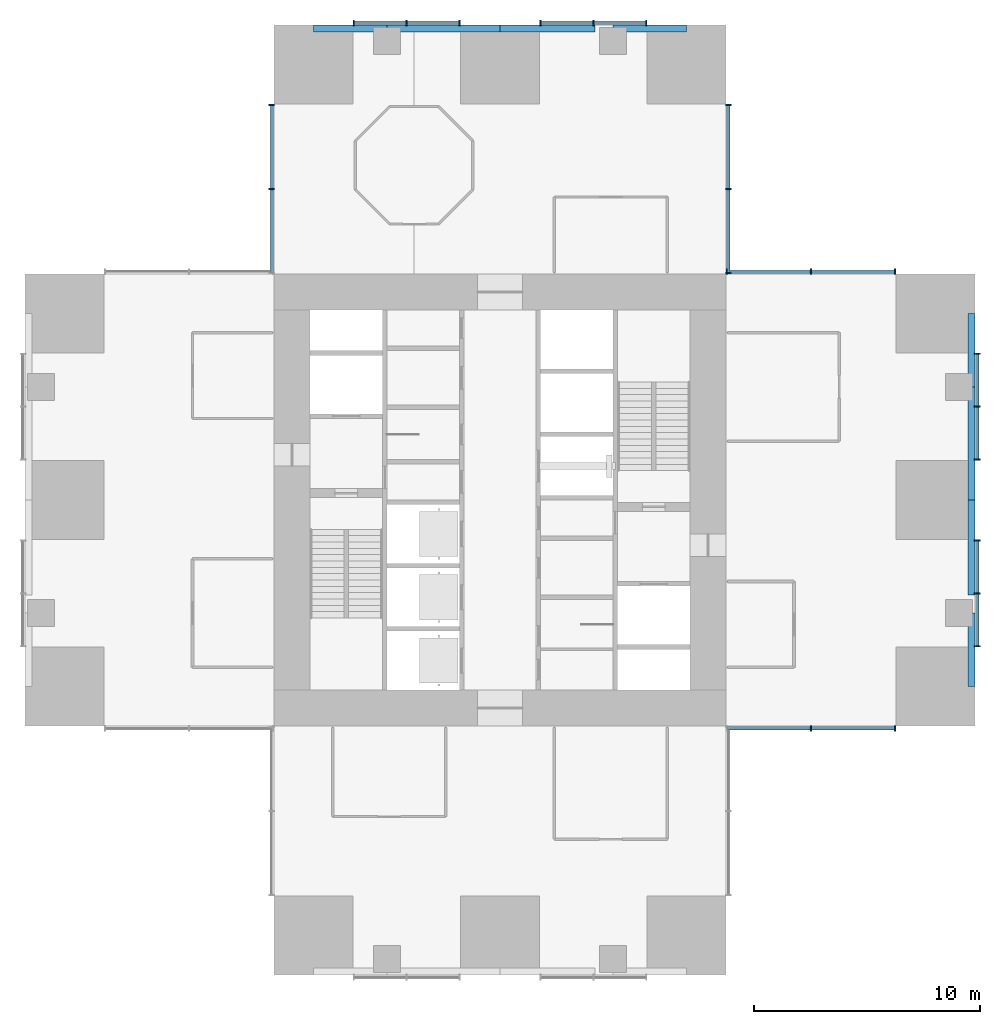
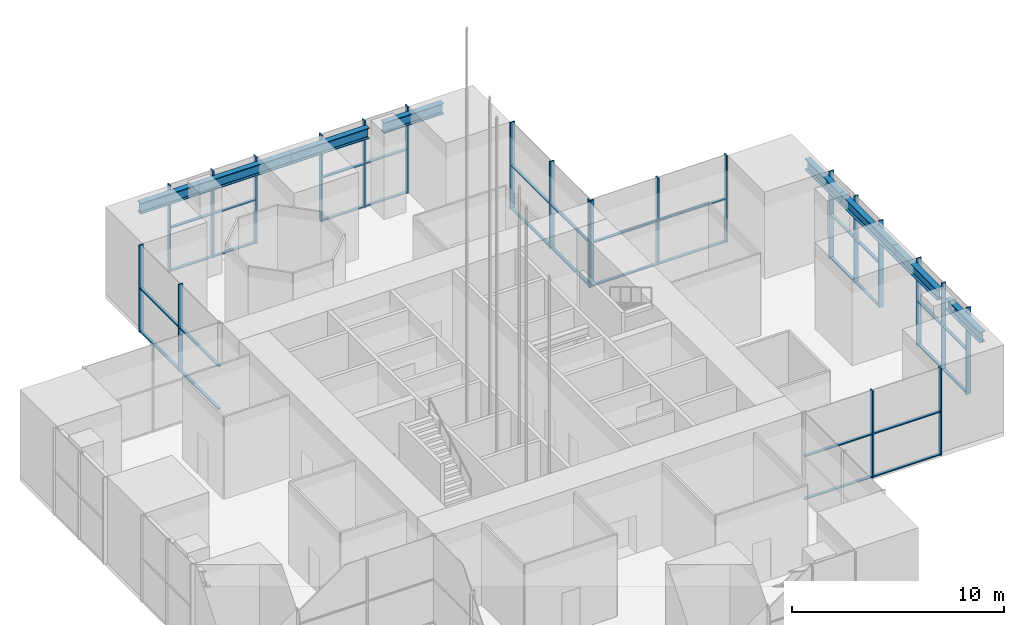
# One storey, part 3 of 16: 54 members, 8 beams, 8 elements without a shape of their own.
"""IFC4 building model written with IfcOpenShell, lengths in metres."""

from ifc_helpers import new_model, si_unit, direction, frame, origin, origin_2d, place, context, subcontext, project, spatial, rectangle, i_section, extrude, material, material_profile, profile_set, type_object, element, aggregate, save


model = new_model("IFC4")

# Units and contexts
model_context = context("Model", 3, precision=1e-05, world=origin(), true_north=direction((0.0, 1.0)))
body_context = subcontext(model_context, "Body", "Model", "MODEL_VIEW")
ifc_project = project(units=[si_unit("LENGTHUNIT", "METRE"), si_unit("AREAUNIT", "SQUARE_METRE"), si_unit("VOLUMEUNIT", "CUBIC_METRE"), si_unit("PLANEANGLEUNIT", "RADIAN"), si_unit("MASSUNIT", "GRAM", prefix="KILO")], contexts=[model_context])

# Site, building, storey
site_placement = place(None, origin())
site = spatial("IfcSite", under=ifc_project, at=site_placement, CompositionType="ELEMENT")
building_placement = place(site_placement, origin())
building = spatial("IfcBuilding", under=site, at=building_placement, Name="Svetlomir Tower", CompositionType="ELEMENT")
storey_placement = place(building_placement, frame((0.0, 0.0, 91.5)))
storey = spatial("IfcBuildingStorey", under=building, at=storey_placement, Name="L21", CompositionType="ELEMENT", Elevation=91.5)

# Curtain wall, members
ifc_material_1 = material(Name="Bronze anodised aluminium curtain wall", Category="aluminium")
curtain_wall_type = type_object("IfcCurtainWallType", Name="CURTAIN WALL CW2 SKY LOBBY", PredefinedType="NOTDEFINED", material=ifc_material_1)
curtain_wall_1_placement = place(storey_placement, origin())
curtain_wall_1 = element("IfcCurtainWall", 1, at=curtain_wall_1_placement, inside=storey, type_object=curtain_wall_type, Name="Curtain wall CW2 L21", PredefinedType="NOTDEFINED")
ifc_material_2 = material(Name="Bronze anodised aluminium", Category="aluminium")
ifc_material_profile_1 = material_profile(ifc_material_2, rectangle(XDim=0.06494140625, YDim=0.25, at=origin_2d()), Name="AL 65x250")
ifc_profile_set_1 = profile_set([ifc_material_profile_1], Name="Bronze anodised aluminium 6063-T6")
member_type_1 = type_object("IfcMemberType", Name="CW2 MULLION 65x250", PredefinedType="MULLION", material=ifc_profile_set_1)
member_1_placement = place(storey_placement, frame((34.75, 10.89990234375, 0.0), z_axis=(0.0, 0.0, 1.0), x_axis=(1.0, 0.0, 0.0)))
member_1 = element("IfcMember", 2, at=member_1_placement, type_object=member_type_1, Name="CW2 mullion 2", PredefinedType="MULLION", context=body_context, shape_type="SweptSolid", body=[
    extrude(rectangle(XDim=0.06494140625, YDim=0.25, at=origin_2d()), origin(), (0.0, 0.0, 1.0), 5.0),
])
member_2_placement = place(storey_placement, frame((38.467529296875, 10.89990234375, 0.0), z_axis=(0.0, 0.0, 1.0), x_axis=(1.0, 0.0, 0.0)))
member_2 = element("IfcMember", 3, at=member_2_placement, type_object=member_type_1, Name="CW2 mullion 3", PredefinedType="MULLION", context=body_context, shape_type="SweptSolid", body=[
    extrude(rectangle(XDim=0.06494140625, YDim=0.25, at=origin_2d()), origin(), (0.0, 0.0, 1.0), 5.0),
])

curtain_wall_2_placement = place(storey_placement, origin())
curtain_wall_2 = element("IfcCurtainWall", 4, at=curtain_wall_2_placement, inside=storey, type_object=curtain_wall_type, Name="Curtain wall CW2 L21", PredefinedType="NOTDEFINED")
member_3_placement = place(storey_placement, frame((42.10009765625, 14.532470703125, 0.0), z_axis=(0.0, 0.0, 1.0), x_axis=(0.0, 1.0, 0.0)))
member_3 = element("IfcMember", 5, at=member_3_placement, type_object=member_type_1, Name="CW2 mullion 1", PredefinedType="MULLION", context=body_context, shape_type="SweptSolid", body=[
    extrude(rectangle(XDim=0.06494140625, YDim=0.25, at=origin_2d()), origin(), (0.0, 0.0, 1.0), 5.0),
])
member_4_placement = place(storey_placement, frame((42.10009765625, 16.875, 0.0), z_axis=(0.0, 0.0, 1.0), x_axis=(0.0, 1.0, 0.0)))
member_4 = element("IfcMember", 6, at=member_4_placement, type_object=member_type_1, Name="CW2 mullion 2", PredefinedType="MULLION", context=body_context, shape_type="SweptSolid", body=[
    extrude(rectangle(XDim=0.06494140625, YDim=0.25, at=origin_2d()), origin(), (0.0, 0.0, 1.0), 5.0),
])
member_5_placement = place(storey_placement, frame((42.10009765625, 19.217529296875, 0.0), z_axis=(0.0, 0.0, 1.0), x_axis=(0.0, 1.0, 0.0)))
member_5 = element("IfcMember", 7, at=member_5_placement, type_object=member_type_1, Name="CW2 mullion 3", PredefinedType="MULLION", context=body_context, shape_type="SweptSolid", body=[
    extrude(rectangle(XDim=0.06494140625, YDim=0.25, at=origin_2d()), origin(), (0.0, 0.0, 1.0), 5.0),
])

curtain_wall_3_placement = place(storey_placement, origin())
curtain_wall_3 = element("IfcCurtainWall", 8, at=curtain_wall_3_placement, inside=storey, type_object=curtain_wall_type, Name="Curtain wall CW2 L21", PredefinedType="NOTDEFINED")
member_6_placement = place(storey_placement, frame((42.10009765625, 22.782470703125, 0.0), z_axis=(0.0, 0.0, 1.0), x_axis=(0.0, 1.0, 0.0)))
member_6 = element("IfcMember", 9, at=member_6_placement, type_object=member_type_1, Name="CW2 mullion 1", PredefinedType="MULLION", context=body_context, shape_type="SweptSolid", body=[
    extrude(rectangle(XDim=0.06494140625, YDim=0.25, at=origin_2d()), origin(), (0.0, 0.0, 1.0), 5.0),
])
member_7_placement = place(storey_placement, frame((42.10009765625, 25.125, 0.0), z_axis=(0.0, 0.0, 1.0), x_axis=(0.0, 1.0, 0.0)))
member_7 = element("IfcMember", 10, at=member_7_placement, type_object=member_type_1, Name="CW2 mullion 2", PredefinedType="MULLION", context=body_context, shape_type="SweptSolid", body=[
    extrude(rectangle(XDim=0.06494140625, YDim=0.25, at=origin_2d()), origin(), (0.0, 0.0, 1.0), 5.0),
])
member_8_placement = place(storey_placement, frame((42.10009765625, 27.467529296875, 0.0), z_axis=(0.0, 0.0, 1.0), x_axis=(0.0, 1.0, 0.0)))
member_8 = element("IfcMember", 11, at=member_8_placement, type_object=member_type_1, Name="CW2 mullion 3", PredefinedType="MULLION", context=body_context, shape_type="SweptSolid", body=[
    extrude(rectangle(XDim=0.06494140625, YDim=0.25, at=origin_2d()), origin(), (0.0, 0.0, 1.0), 5.0),
])

curtain_wall_4_placement = place(storey_placement, origin())
curtain_wall_4 = element("IfcCurtainWall", 12, at=curtain_wall_4_placement, inside=storey, type_object=curtain_wall_type, Name="Curtain wall CW2 L21", PredefinedType="NOTDEFINED")
member_9_placement = place(storey_placement, frame((38.467529296875, 31.10009765625, 0.0), z_axis=(0.0, 0.0, 1.0), x_axis=(-1.0, 0.0, 0.0)))
member_9 = element("IfcMember", 13, at=member_9_placement, type_object=member_type_1, Name="CW2 mullion 1", PredefinedType="MULLION", context=body_context, shape_type="SweptSolid", body=[
    extrude(rectangle(XDim=0.06494140625, YDim=0.25, at=origin_2d()), origin(), (0.0, 0.0, 1.0), 5.0),
])
member_10_placement = place(storey_placement, frame((34.75, 31.10009765625, 0.0), z_axis=(0.0, 0.0, 1.0), x_axis=(-1.0, 0.0, 0.0)))
member_10 = element("IfcMember", 14, at=member_10_placement, type_object=member_type_1, Name="CW2 mullion 2", PredefinedType="MULLION", context=body_context, shape_type="SweptSolid", body=[
    extrude(rectangle(XDim=0.06494140625, YDim=0.25, at=origin_2d()), origin(), (0.0, 0.0, 1.0), 5.0),
])
member_11_placement = place(storey_placement, frame((31.032470703125, 31.10009765625, 0.0), z_axis=(0.0, 0.0, 1.0), x_axis=(-1.0, 0.0, 0.0)))
member_11 = element("IfcMember", 15, at=member_11_placement, type_object=member_type_1, Name="CW2 mullion 3", PredefinedType="MULLION", context=body_context, shape_type="SweptSolid", body=[
    extrude(rectangle(XDim=0.06494140625, YDim=0.25, at=origin_2d()), origin(), (0.0, 0.0, 1.0), 5.0),
])

curtain_wall_5_placement = place(storey_placement, origin())
curtain_wall_5 = element("IfcCurtainWall", 16, at=curtain_wall_5_placement, inside=storey, type_object=curtain_wall_type, Name="Curtain wall CW2 L21", PredefinedType="NOTDEFINED")
member_12_placement = place(storey_placement, frame((31.10009765625, 31.032470703125, 0.0), z_axis=(0.0, 0.0, 1.0), x_axis=(0.0, 1.0, 0.0)))
member_12 = element("IfcMember", 17, at=member_12_placement, type_object=member_type_1, Name="CW2 mullion 1", PredefinedType="MULLION", context=body_context, shape_type="SweptSolid", body=[
    extrude(rectangle(XDim=0.06494140625, YDim=0.25, at=origin_2d()), origin(), (0.0, 0.0, 1.0), 5.0),
])
member_13_placement = place(storey_placement, frame((31.10009765625, 34.75, 0.0), z_axis=(0.0, 0.0, 1.0), x_axis=(0.0, 1.0, 0.0)))
member_13 = element("IfcMember", 18, at=member_13_placement, type_object=member_type_1, Name="CW2 mullion 2", PredefinedType="MULLION", context=body_context, shape_type="SweptSolid", body=[
    extrude(rectangle(XDim=0.06494140625, YDim=0.25, at=origin_2d()), origin(), (0.0, 0.0, 1.0), 5.0),
])
member_14_placement = place(storey_placement, frame((31.10009765625, 38.467529296875, 0.0), z_axis=(0.0, 0.0, 1.0), x_axis=(0.0, 1.0, 0.0)))
member_14 = element("IfcMember", 19, at=member_14_placement, type_object=member_type_1, Name="CW2 mullion 3", PredefinedType="MULLION", context=body_context, shape_type="SweptSolid", body=[
    extrude(rectangle(XDim=0.06494140625, YDim=0.25, at=origin_2d()), origin(), (0.0, 0.0, 1.0), 5.0),
])

curtain_wall_6_placement = place(storey_placement, origin())
curtain_wall_6 = element("IfcCurtainWall", 20, at=curtain_wall_6_placement, inside=storey, type_object=curtain_wall_type, Name="Curtain wall CW2 L21", PredefinedType="NOTDEFINED")
member_15_placement = place(storey_placement, frame((27.467529296875, 42.10009765625, 0.0), z_axis=(0.0, 0.0, 1.0), x_axis=(-1.0, 0.0, 0.0)))
member_15 = element("IfcMember", 21, at=member_15_placement, type_object=member_type_1, Name="CW2 mullion 1", PredefinedType="MULLION", context=body_context, shape_type="SweptSolid", body=[
    extrude(rectangle(XDim=0.06494140625, YDim=0.25, at=origin_2d()), origin(), (0.0, 0.0, 1.0), 5.0),
])
member_16_placement = place(storey_placement, frame((25.125, 42.10009765625, 0.0), z_axis=(0.0, 0.0, 1.0), x_axis=(-1.0, 0.0, 0.0)))
member_16 = element("IfcMember", 22, at=member_16_placement, type_object=member_type_1, Name="CW2 mullion 2", PredefinedType="MULLION", context=body_context, shape_type="SweptSolid", body=[
    extrude(rectangle(XDim=0.06494140625, YDim=0.25, at=origin_2d()), origin(), (0.0, 0.0, 1.0), 5.0),
])
member_17_placement = place(storey_placement, frame((22.782470703125, 42.10009765625, 0.0), z_axis=(0.0, 0.0, 1.0), x_axis=(-1.0, 0.0, 0.0)))
member_17 = element("IfcMember", 23, at=member_17_placement, type_object=member_type_1, Name="CW2 mullion 3", PredefinedType="MULLION", context=body_context, shape_type="SweptSolid", body=[
    extrude(rectangle(XDim=0.06494140625, YDim=0.25, at=origin_2d()), origin(), (0.0, 0.0, 1.0), 5.0),
])

curtain_wall_7_placement = place(storey_placement, origin())
curtain_wall_7 = element("IfcCurtainWall", 24, at=curtain_wall_7_placement, inside=storey, type_object=curtain_wall_type, Name="Curtain wall CW2 L21", PredefinedType="NOTDEFINED")
member_18_placement = place(storey_placement, frame((19.217529296875, 42.10009765625, 0.0), z_axis=(0.0, 0.0, 1.0), x_axis=(-1.0, 0.0, 0.0)))
member_18 = element("IfcMember", 25, at=member_18_placement, type_object=member_type_1, Name="CW2 mullion 1", PredefinedType="MULLION", context=body_context, shape_type="SweptSolid", body=[
    extrude(rectangle(XDim=0.06494140625, YDim=0.25, at=origin_2d()), origin(), (0.0, 0.0, 1.0), 5.0),
])
member_19_placement = place(storey_placement, frame((16.875, 42.10009765625, 0.0), z_axis=(0.0, 0.0, 1.0), x_axis=(-1.0, 0.0, 0.0)))
member_19 = element("IfcMember", 26, at=member_19_placement, type_object=member_type_1, Name="CW2 mullion 2", PredefinedType="MULLION", context=body_context, shape_type="SweptSolid", body=[
    extrude(rectangle(XDim=0.06494140625, YDim=0.25, at=origin_2d()), origin(), (0.0, 0.0, 1.0), 5.0),
])
member_20_placement = place(storey_placement, frame((14.532470703125, 42.10009765625, 0.0), z_axis=(0.0, 0.0, 1.0), x_axis=(-1.0, 0.0, 0.0)))
member_20 = element("IfcMember", 27, at=member_20_placement, type_object=member_type_1, Name="CW2 mullion 3", PredefinedType="MULLION", context=body_context, shape_type="SweptSolid", body=[
    extrude(rectangle(XDim=0.06494140625, YDim=0.25, at=origin_2d()), origin(), (0.0, 0.0, 1.0), 5.0),
])

curtain_wall_8_placement = place(storey_placement, origin())
curtain_wall_8 = element("IfcCurtainWall", 28, at=curtain_wall_8_placement, inside=storey, type_object=curtain_wall_type, Name="Curtain wall CW2 L21", PredefinedType="NOTDEFINED")
member_21_placement = place(storey_placement, frame((10.89990234375, 38.467529296875, 0.0), z_axis=(0.0, 0.0, 1.0), x_axis=(0.0, -1.0, 0.0)))
member_21 = element("IfcMember", 29, at=member_21_placement, type_object=member_type_1, Name="CW2 mullion 1", PredefinedType="MULLION", context=body_context, shape_type="SweptSolid", body=[
    extrude(rectangle(XDim=0.06494140625, YDim=0.25, at=origin_2d()), origin(), (0.0, 0.0, 1.0), 5.0),
])
member_22_placement = place(storey_placement, frame((10.89990234375, 34.75, 0.0), z_axis=(0.0, 0.0, 1.0), x_axis=(0.0, -1.0, 0.0)))
member_22 = element("IfcMember", 30, at=member_22_placement, type_object=member_type_1, Name="CW2 mullion 2", PredefinedType="MULLION", context=body_context, shape_type="SweptSolid", body=[
    extrude(rectangle(XDim=0.06494140625, YDim=0.25, at=origin_2d()), origin(), (0.0, 0.0, 1.0), 5.0),
])

# Member
ifc_material_3 = material(Name="Bronze anodised aluminium", Category="aluminium")
ifc_material_profile_2 = material_profile(ifc_material_3, rectangle(XDim=0.159912109375, YDim=0.06494140625, at=origin_2d()), Name="AL 160x65")
ifc_profile_set_2 = profile_set([ifc_material_profile_2], Name="Bronze anodised aluminium 6063-T6")
member_type_2 = type_object("IfcMemberType", Name="CW2 TRANSOM 65x160", PredefinedType="USERDEFINED", material=ifc_profile_set_2)
member_23_placement = place(storey_placement, frame((31.06494140625, 10.89990234375, 0.032470703125), z_axis=(1.0, 0.0, 0.0), x_axis=(0.0, 1.0, 0.0)))
member_23 = element("IfcMember", 31, at=member_23_placement, type_object=member_type_2, Name="CW2 transom 1.1", ObjectType="TRANSOM", PredefinedType="USERDEFINED", context=body_context, shape_type="SweptSolid", body=[
    extrude(rectangle(XDim=0.159912109375, YDim=0.06494140625, at=origin_2d()), origin(), (0.0, 0.0, 1.0), 3.652587890625),
])

member_24_placement = place(storey_placement, frame((31.06494140625, 10.89990234375, 2.5), z_axis=(1.0, 0.0, 0.0), x_axis=(0.0, 1.0, 0.0)))
member_24 = element("IfcMember", 32, at=member_24_placement, type_object=member_type_2, Name="CW2 transom 1.2", ObjectType="TRANSOM", PredefinedType="USERDEFINED", context=body_context, shape_type="SweptSolid", body=[
    extrude(rectangle(XDim=0.159912109375, YDim=0.06494140625, at=origin_2d()), origin(), (0.0, 0.0, 1.0), 3.652587890625),
])

member_25_placement = place(storey_placement, frame((34.782470703125, 10.89990234375, 0.032470703125), z_axis=(1.0, 0.0, 0.0), x_axis=(0.0, 1.0, 0.0)))
member_25 = element("IfcMember", 33, at=member_25_placement, type_object=member_type_2, Name="CW2 transom 2.1", ObjectType="TRANSOM", PredefinedType="USERDEFINED", context=body_context, shape_type="SweptSolid", body=[
    extrude(rectangle(XDim=0.159912109375, YDim=0.06494140625, at=origin_2d()), origin(), (0.0, 0.0, 1.0), 3.652587890625),
])

member_26_placement = place(storey_placement, frame((34.782470703125, 10.89990234375, 2.5), z_axis=(1.0, 0.0, 0.0), x_axis=(0.0, 1.0, 0.0)))
member_26 = element("IfcMember", 34, at=member_26_placement, type_object=member_type_2, Name="CW2 transom 2.2", ObjectType="TRANSOM", PredefinedType="USERDEFINED", context=body_context, shape_type="SweptSolid", body=[
    extrude(rectangle(XDim=0.159912109375, YDim=0.06494140625, at=origin_2d()), origin(), (0.0, 0.0, 1.0), 3.652587890625),
])

aggregate(curtain_wall_1, [member_1, member_2, member_23, member_24, member_25, member_26])

member_27_placement = place(storey_placement, frame((42.10009765625, 14.56494140625, 0.032470703125), z_axis=(0.0, 1.0, 0.0), x_axis=(-1.0, 0.0, 0.0)))
member_27 = element("IfcMember", 35, at=member_27_placement, type_object=member_type_2, Name="CW2 transom 1.1", ObjectType="TRANSOM", PredefinedType="USERDEFINED", context=body_context, shape_type="SweptSolid", body=[
    extrude(rectangle(XDim=0.159912109375, YDim=0.06494140625, at=origin_2d()), origin(), (0.0, 0.0, 1.0), 2.277587890625),
])

member_28_placement = place(storey_placement, frame((42.10009765625, 14.56494140625, 2.5), z_axis=(0.0, 1.0, 0.0), x_axis=(-1.0, 0.0, 0.0)))
member_28 = element("IfcMember", 36, at=member_28_placement, type_object=member_type_2, Name="CW2 transom 1.2", ObjectType="TRANSOM", PredefinedType="USERDEFINED", context=body_context, shape_type="SweptSolid", body=[
    extrude(rectangle(XDim=0.159912109375, YDim=0.06494140625, at=origin_2d()), origin(), (0.0, 0.0, 1.0), 2.277587890625),
])

member_29_placement = place(storey_placement, frame((42.10009765625, 16.907470703125, 0.032470703125), z_axis=(0.0, 1.0, 0.0), x_axis=(-1.0, 0.0, 0.0)))
member_29 = element("IfcMember", 37, at=member_29_placement, type_object=member_type_2, Name="CW2 transom 2.1", ObjectType="TRANSOM", PredefinedType="USERDEFINED", context=body_context, shape_type="SweptSolid", body=[
    extrude(rectangle(XDim=0.159912109375, YDim=0.06494140625, at=origin_2d()), origin(), (0.0, 0.0, 1.0), 2.277587890625),
])

member_30_placement = place(storey_placement, frame((42.10009765625, 16.907470703125, 2.5), z_axis=(0.0, 1.0, 0.0), x_axis=(-1.0, 0.0, 0.0)))
member_30 = element("IfcMember", 38, at=member_30_placement, type_object=member_type_2, Name="CW2 transom 2.2", ObjectType="TRANSOM", PredefinedType="USERDEFINED", context=body_context, shape_type="SweptSolid", body=[
    extrude(rectangle(XDim=0.159912109375, YDim=0.06494140625, at=origin_2d()), origin(), (0.0, 0.0, 1.0), 2.277587890625),
])

aggregate(curtain_wall_2, [member_3, member_4, member_5, member_27, member_28, member_29, member_30])

member_31_placement = place(storey_placement, frame((42.10009765625, 22.81494140625, 0.032470703125), z_axis=(0.0, 1.0, 0.0), x_axis=(-1.0, 0.0, 0.0)))
member_31 = element("IfcMember", 39, at=member_31_placement, type_object=member_type_2, Name="CW2 transom 1.1", ObjectType="TRANSOM", PredefinedType="USERDEFINED", context=body_context, shape_type="SweptSolid", body=[
    extrude(rectangle(XDim=0.159912109375, YDim=0.06494140625, at=origin_2d()), origin(), (0.0, 0.0, 1.0), 2.277587890625),
])

member_32_placement = place(storey_placement, frame((42.10009765625, 22.81494140625, 2.5), z_axis=(0.0, 1.0, 0.0), x_axis=(-1.0, 0.0, 0.0)))
member_32 = element("IfcMember", 40, at=member_32_placement, type_object=member_type_2, Name="CW2 transom 1.2", ObjectType="TRANSOM", PredefinedType="USERDEFINED", context=body_context, shape_type="SweptSolid", body=[
    extrude(rectangle(XDim=0.159912109375, YDim=0.06494140625, at=origin_2d()), origin(), (0.0, 0.0, 1.0), 2.277587890625),
])

member_33_placement = place(storey_placement, frame((42.10009765625, 25.157470703125, 0.032470703125), z_axis=(0.0, 1.0, 0.0), x_axis=(-1.0, 0.0, 0.0)))
member_33 = element("IfcMember", 41, at=member_33_placement, type_object=member_type_2, Name="CW2 transom 2.1", ObjectType="TRANSOM", PredefinedType="USERDEFINED", context=body_context, shape_type="SweptSolid", body=[
    extrude(rectangle(XDim=0.159912109375, YDim=0.06494140625, at=origin_2d()), origin(), (0.0, 0.0, 1.0), 2.277587890625),
])

member_34_placement = place(storey_placement, frame((42.10009765625, 25.157470703125, 2.5), z_axis=(0.0, 1.0, 0.0), x_axis=(-1.0, 0.0, 0.0)))
member_34 = element("IfcMember", 42, at=member_34_placement, type_object=member_type_2, Name="CW2 transom 2.2", ObjectType="TRANSOM", PredefinedType="USERDEFINED", context=body_context, shape_type="SweptSolid", body=[
    extrude(rectangle(XDim=0.159912109375, YDim=0.06494140625, at=origin_2d()), origin(), (0.0, 0.0, 1.0), 2.277587890625),
])

aggregate(curtain_wall_3, [member_6, member_7, member_8, member_31, member_32, member_33, member_34])

member_35_placement = place(storey_placement, frame((38.43505859375, 31.10009765625, 0.032470703125), z_axis=(-1.0, 0.0, 0.0), x_axis=(0.0, -1.0, 0.0)))
member_35 = element("IfcMember", 43, at=member_35_placement, type_object=member_type_2, Name="CW2 transom 1.1", ObjectType="TRANSOM", PredefinedType="USERDEFINED", context=body_context, shape_type="SweptSolid", body=[
    extrude(rectangle(XDim=0.159912109375, YDim=0.06494140625, at=origin_2d()), origin(), (0.0, 0.0, 1.0), 3.652587890625),
])

member_36_placement = place(storey_placement, frame((38.43505859375, 31.10009765625, 2.5), z_axis=(-1.0, 0.0, 0.0), x_axis=(0.0, -1.0, 0.0)))
member_36 = element("IfcMember", 44, at=member_36_placement, type_object=member_type_2, Name="CW2 transom 1.2", ObjectType="TRANSOM", PredefinedType="USERDEFINED", context=body_context, shape_type="SweptSolid", body=[
    extrude(rectangle(XDim=0.159912109375, YDim=0.06494140625, at=origin_2d()), origin(), (0.0, 0.0, 1.0), 3.652587890625),
])

member_37_placement = place(storey_placement, frame((34.717529296875, 31.10009765625, 0.032470703125), z_axis=(-1.0, 0.0, 0.0), x_axis=(0.0, -1.0, 0.0)))
member_37 = element("IfcMember", 45, at=member_37_placement, type_object=member_type_2, Name="CW2 transom 2.1", ObjectType="TRANSOM", PredefinedType="USERDEFINED", context=body_context, shape_type="SweptSolid", body=[
    extrude(rectangle(XDim=0.159912109375, YDim=0.06494140625, at=origin_2d()), origin(), (0.0, 0.0, 1.0), 3.652587890625),
])

member_38_placement = place(storey_placement, frame((34.717529296875, 31.10009765625, 2.5), z_axis=(-1.0, 0.0, 0.0), x_axis=(0.0, -1.0, 0.0)))
member_38 = element("IfcMember", 46, at=member_38_placement, type_object=member_type_2, Name="CW2 transom 2.2", ObjectType="TRANSOM", PredefinedType="USERDEFINED", context=body_context, shape_type="SweptSolid", body=[
    extrude(rectangle(XDim=0.159912109375, YDim=0.06494140625, at=origin_2d()), origin(), (0.0, 0.0, 1.0), 3.652587890625),
])

aggregate(curtain_wall_4, [member_9, member_10, member_11, member_35, member_36, member_37, member_38])

member_39_placement = place(storey_placement, frame((31.10009765625, 31.06494140625, 0.032470703125), z_axis=(0.0, 1.0, 0.0), x_axis=(-1.0, 0.0, 0.0)))
member_39 = element("IfcMember", 47, at=member_39_placement, type_object=member_type_2, Name="CW2 transom 1.1", ObjectType="TRANSOM", PredefinedType="USERDEFINED", context=body_context, shape_type="SweptSolid", body=[
    extrude(rectangle(XDim=0.159912109375, YDim=0.06494140625, at=origin_2d()), origin(), (0.0, 0.0, 1.0), 3.652587890625),
])

member_40_placement = place(storey_placement, frame((31.10009765625, 31.06494140625, 2.5), z_axis=(0.0, 1.0, 0.0), x_axis=(-1.0, 0.0, 0.0)))
member_40 = element("IfcMember", 48, at=member_40_placement, type_object=member_type_2, Name="CW2 transom 1.2", ObjectType="TRANSOM", PredefinedType="USERDEFINED", context=body_context, shape_type="SweptSolid", body=[
    extrude(rectangle(XDim=0.159912109375, YDim=0.06494140625, at=origin_2d()), origin(), (0.0, 0.0, 1.0), 3.652587890625),
])

member_41_placement = place(storey_placement, frame((31.10009765625, 34.782470703125, 0.032470703125), z_axis=(0.0, 1.0, 0.0), x_axis=(-1.0, 0.0, 0.0)))
member_41 = element("IfcMember", 49, at=member_41_placement, type_object=member_type_2, Name="CW2 transom 2.1", ObjectType="TRANSOM", PredefinedType="USERDEFINED", context=body_context, shape_type="SweptSolid", body=[
    extrude(rectangle(XDim=0.159912109375, YDim=0.06494140625, at=origin_2d()), origin(), (0.0, 0.0, 1.0), 3.652587890625),
])

member_42_placement = place(storey_placement, frame((31.10009765625, 34.782470703125, 2.5), z_axis=(0.0, 1.0, 0.0), x_axis=(-1.0, 0.0, 0.0)))
member_42 = element("IfcMember", 50, at=member_42_placement, type_object=member_type_2, Name="CW2 transom 2.2", ObjectType="TRANSOM", PredefinedType="USERDEFINED", context=body_context, shape_type="SweptSolid", body=[
    extrude(rectangle(XDim=0.159912109375, YDim=0.06494140625, at=origin_2d()), origin(), (0.0, 0.0, 1.0), 3.652587890625),
])

aggregate(curtain_wall_5, [member_12, member_13, member_14, member_39, member_40, member_41, member_42])

member_43_placement = place(storey_placement, frame((27.43505859375, 42.10009765625, 0.032470703125), z_axis=(-1.0, 0.0, 0.0), x_axis=(0.0, -1.0, 0.0)))
member_43 = element("IfcMember", 51, at=member_43_placement, type_object=member_type_2, Name="CW2 transom 1.1", ObjectType="TRANSOM", PredefinedType="USERDEFINED", context=body_context, shape_type="SweptSolid", body=[
    extrude(rectangle(XDim=0.159912109375, YDim=0.06494140625, at=origin_2d()), origin(), (0.0, 0.0, 1.0), 2.277587890625),
])

member_44_placement = place(storey_placement, frame((27.43505859375, 42.10009765625, 2.5), z_axis=(-1.0, 0.0, 0.0), x_axis=(0.0, -1.0, 0.0)))
member_44 = element("IfcMember", 52, at=member_44_placement, type_object=member_type_2, Name="CW2 transom 1.2", ObjectType="TRANSOM", PredefinedType="USERDEFINED", context=body_context, shape_type="SweptSolid", body=[
    extrude(rectangle(XDim=0.159912109375, YDim=0.06494140625, at=origin_2d()), origin(), (0.0, 0.0, 1.0), 2.277587890625),
])

member_45_placement = place(storey_placement, frame((25.092529296875, 42.10009765625, 0.032470703125), z_axis=(-1.0, 0.0, 0.0), x_axis=(0.0, -1.0, 0.0)))
member_45 = element("IfcMember", 53, at=member_45_placement, type_object=member_type_2, Name="CW2 transom 2.1", ObjectType="TRANSOM", PredefinedType="USERDEFINED", context=body_context, shape_type="SweptSolid", body=[
    extrude(rectangle(XDim=0.159912109375, YDim=0.06494140625, at=origin_2d()), origin(), (0.0, 0.0, 1.0), 2.277587890625),
])

member_46_placement = place(storey_placement, frame((25.092529296875, 42.10009765625, 2.5), z_axis=(-1.0, 0.0, 0.0), x_axis=(0.0, -1.0, 0.0)))
member_46 = element("IfcMember", 54, at=member_46_placement, type_object=member_type_2, Name="CW2 transom 2.2", ObjectType="TRANSOM", PredefinedType="USERDEFINED", context=body_context, shape_type="SweptSolid", body=[
    extrude(rectangle(XDim=0.159912109375, YDim=0.06494140625, at=origin_2d()), origin(), (0.0, 0.0, 1.0), 2.277587890625),
])

aggregate(curtain_wall_6, [member_15, member_16, member_17, member_43, member_44, member_45, member_46])

member_47_placement = place(storey_placement, frame((19.18505859375, 42.10009765625, 0.032470703125), z_axis=(-1.0, 0.0, 0.0), x_axis=(0.0, -1.0, 0.0)))
member_47 = element("IfcMember", 55, at=member_47_placement, type_object=member_type_2, Name="CW2 transom 1.1", ObjectType="TRANSOM", PredefinedType="USERDEFINED", context=body_context, shape_type="SweptSolid", body=[
    extrude(rectangle(XDim=0.159912109375, YDim=0.06494140625, at=origin_2d()), origin(), (0.0, 0.0, 1.0), 2.277587890625),
])

member_48_placement = place(storey_placement, frame((19.18505859375, 42.10009765625, 2.5), z_axis=(-1.0, 0.0, 0.0), x_axis=(0.0, -1.0, 0.0)))
member_48 = element("IfcMember", 56, at=member_48_placement, type_object=member_type_2, Name="CW2 transom 1.2", ObjectType="TRANSOM", PredefinedType="USERDEFINED", context=body_context, shape_type="SweptSolid", body=[
    extrude(rectangle(XDim=0.159912109375, YDim=0.06494140625, at=origin_2d()), origin(), (0.0, 0.0, 1.0), 2.277587890625),
])

member_49_placement = place(storey_placement, frame((16.842529296875, 42.10009765625, 0.032470703125), z_axis=(-1.0, 0.0, 0.0), x_axis=(0.0, -1.0, 0.0)))
member_49 = element("IfcMember", 57, at=member_49_placement, type_object=member_type_2, Name="CW2 transom 2.1", ObjectType="TRANSOM", PredefinedType="USERDEFINED", context=body_context, shape_type="SweptSolid", body=[
    extrude(rectangle(XDim=0.159912109375, YDim=0.06494140625, at=origin_2d()), origin(), (0.0, 0.0, 1.0), 2.277587890625),
])

member_50_placement = place(storey_placement, frame((16.842529296875, 42.10009765625, 2.5), z_axis=(-1.0, 0.0, 0.0), x_axis=(0.0, -1.0, 0.0)))
member_50 = element("IfcMember", 58, at=member_50_placement, type_object=member_type_2, Name="CW2 transom 2.2", ObjectType="TRANSOM", PredefinedType="USERDEFINED", context=body_context, shape_type="SweptSolid", body=[
    extrude(rectangle(XDim=0.159912109375, YDim=0.06494140625, at=origin_2d()), origin(), (0.0, 0.0, 1.0), 2.277587890625),
])

aggregate(curtain_wall_7, [member_18, member_19, member_20, member_47, member_48, member_49, member_50])

member_51_placement = place(storey_placement, frame((10.89990234375, 38.43505859375, 0.032470703125), z_axis=(0.0, -1.0, 0.0), x_axis=(1.0, 0.0, 0.0)))
member_51 = element("IfcMember", 59, at=member_51_placement, type_object=member_type_2, Name="CW2 transom 1.1", ObjectType="TRANSOM", PredefinedType="USERDEFINED", context=body_context, shape_type="SweptSolid", body=[
    extrude(rectangle(XDim=0.159912109375, YDim=0.06494140625, at=origin_2d()), origin(), (0.0, 0.0, 1.0), 3.652587890625),
])

member_52_placement = place(storey_placement, frame((10.89990234375, 38.43505859375, 2.5), z_axis=(0.0, -1.0, 0.0), x_axis=(1.0, 0.0, 0.0)))
member_52 = element("IfcMember", 60, at=member_52_placement, type_object=member_type_2, Name="CW2 transom 1.2", ObjectType="TRANSOM", PredefinedType="USERDEFINED", context=body_context, shape_type="SweptSolid", body=[
    extrude(rectangle(XDim=0.159912109375, YDim=0.06494140625, at=origin_2d()), origin(), (0.0, 0.0, 1.0), 3.652587890625),
])

member_53_placement = place(storey_placement, frame((10.89990234375, 34.717529296875, 0.032470703125), z_axis=(0.0, -1.0, 0.0), x_axis=(1.0, 0.0, 0.0)))
member_53 = element("IfcMember", 61, at=member_53_placement, type_object=member_type_2, Name="CW2 transom 2.1", ObjectType="TRANSOM", PredefinedType="USERDEFINED", context=body_context, shape_type="SweptSolid", body=[
    extrude(rectangle(XDim=0.159912109375, YDim=0.06494140625, at=origin_2d()), origin(), (0.0, 0.0, 1.0), 3.652587890625),
])

member_54_placement = place(storey_placement, frame((10.89990234375, 34.717529296875, 2.5), z_axis=(0.0, -1.0, 0.0), x_axis=(1.0, 0.0, 0.0)))
member_54 = element("IfcMember", 62, at=member_54_placement, type_object=member_type_2, Name="CW2 transom 2.2", ObjectType="TRANSOM", PredefinedType="USERDEFINED", context=body_context, shape_type="SweptSolid", body=[
    extrude(rectangle(XDim=0.159912109375, YDim=0.06494140625, at=origin_2d()), origin(), (0.0, 0.0, 1.0), 3.652587890625),
])

aggregate(curtain_wall_8, [member_21, member_22, member_51, member_52, member_53, member_54])

# Beams
ifc_material_4 = material(Name="Steel S355", Category="steel")
ifc_material_profile_3 = material_profile(ifc_material_4, i_section(OverallWidth=0.304931640625, OverallDepth=0.6201171875, WebThickness=0.02099609375, FlangeThickness=0.0400390625, FilletRadius=0.027099609375, at=origin_2d()), Name="HEM 600")
ifc_profile_set_3 = profile_set([ifc_material_profile_3], Name="Steel S355")
beam_type = type_object("IfcBeamType", Name="EDGE BEAM HEM 600", PredefinedType="SPANDREL", material=ifc_profile_set_3)
for number, where, z_axis, x_axis, name in (
    (63, (41.847412109375, 12.75, 4.43994140625), (0.0, 1.0, 0.0), (-1.0, 0.0, 0.0), "Edge beam 42/11 to 42/16 under L22"),
    (64, (12.75, 41.847412109375, 4.43994140625), (1.0, 0.0, 0.0), (0.0, 1.0, 0.0), "Edge beam 11/42 to 16/42 under L22"),
):
    element("IfcBeam", number, at=place(storey_placement, frame(where, z_axis=z_axis, x_axis=x_axis)), inside=storey, type_object=beam_type, Name=name, PredefinedType="SPANDREL", context=body_context, shape_type="SweptSolid", body=[
        extrude(i_section(OverallWidth=0.304931640625, OverallDepth=0.6201171875, WebThickness=0.02099609375, FlangeThickness=0.0400390625, FilletRadius=0.027099609375, at=origin_2d()), origin(), (0.0, 0.0, 1.0), 3.25),
    ])
beam_1_placement = place(storey_placement, frame((41.847412109375, 16.800048828125, 4.43994140625), z_axis=(0.0, 1.0, 0.0), x_axis=(-1.0, 0.0, 0.0)))
element("IfcBeam", 65, at=beam_1_placement, inside=storey, type_object=beam_type, Name="Edge beam 42/16 to 42/21 under L22", PredefinedType="SPANDREL", context=body_context, shape_type="SweptSolid", body=[
    extrude(i_section(OverallWidth=0.304931640625, OverallDepth=0.6201171875, WebThickness=0.02099609375, FlangeThickness=0.0400390625, FilletRadius=0.027099609375, at=origin_2d()), origin(), (0.0, 0.0, 1.0), 4.199951171875),
])
for number, where, z_axis, x_axis, name in (
    (66, (16.0, 41.847412109375, 4.43994140625), (1.0, 0.0, 0.0), (0.0, 1.0, 0.0), "Edge beam 16/42 to 21/42 under L22"),
    (67, (41.847412109375, 21.0, 4.43994140625), (0.0, 1.0, 0.0), (-1.0, 0.0, 0.0), "Edge beam 42/21 to 42/26 under L22"),
):
    element("IfcBeam", number, at=place(storey_placement, frame(where, z_axis=z_axis, x_axis=x_axis)), inside=storey, type_object=beam_type, Name=name, PredefinedType="SPANDREL", context=body_context, shape_type="SweptSolid", body=[
        extrude(i_section(OverallWidth=0.304931640625, OverallDepth=0.6201171875, WebThickness=0.02099609375, FlangeThickness=0.0400390625, FilletRadius=0.027099609375, at=origin_2d()), origin(), (0.0, 0.0, 1.0), 5.0),
    ])
beam_2_placement = place(storey_placement, frame((21.0, 41.847412109375, 4.43994140625), z_axis=(1.0, 0.0, 0.0), x_axis=(0.0, 1.0, 0.0)))
element("IfcBeam", 68, at=beam_2_placement, inside=storey, type_object=beam_type, Name="Edge beam 21/42 to 26/42 under L22", PredefinedType="SPANDREL", context=body_context, shape_type="SweptSolid", body=[
    extrude(i_section(OverallWidth=0.304931640625, OverallDepth=0.6201171875, WebThickness=0.02099609375, FlangeThickness=0.0400390625, FilletRadius=0.027099609375, at=origin_2d()), origin(), (0.0, 0.0, 1.0), 4.199951171875),
])
for number, where, z_axis, x_axis, name in (
    (69, (41.847412109375, 26.0, 4.43994140625), (0.0, 1.0, 0.0), (-1.0, 0.0, 0.0), "Edge beam 42/26 to 42/31 under L22"),
    (70, (26.0, 41.847412109375, 4.43994140625), (1.0, 0.0, 0.0), (0.0, 1.0, 0.0), "Edge beam 26/42 to 31/42 under L22"),
):
    element("IfcBeam", number, at=place(storey_placement, frame(where, z_axis=z_axis, x_axis=x_axis)), inside=storey, type_object=beam_type, Name=name, PredefinedType="SPANDREL", context=body_context, shape_type="SweptSolid", body=[
        extrude(i_section(OverallWidth=0.304931640625, OverallDepth=0.6201171875, WebThickness=0.02099609375, FlangeThickness=0.0400390625, FilletRadius=0.027099609375, at=origin_2d()), origin(), (0.0, 0.0, 1.0), 3.25),
    ])

save(model, "model.ifc")
